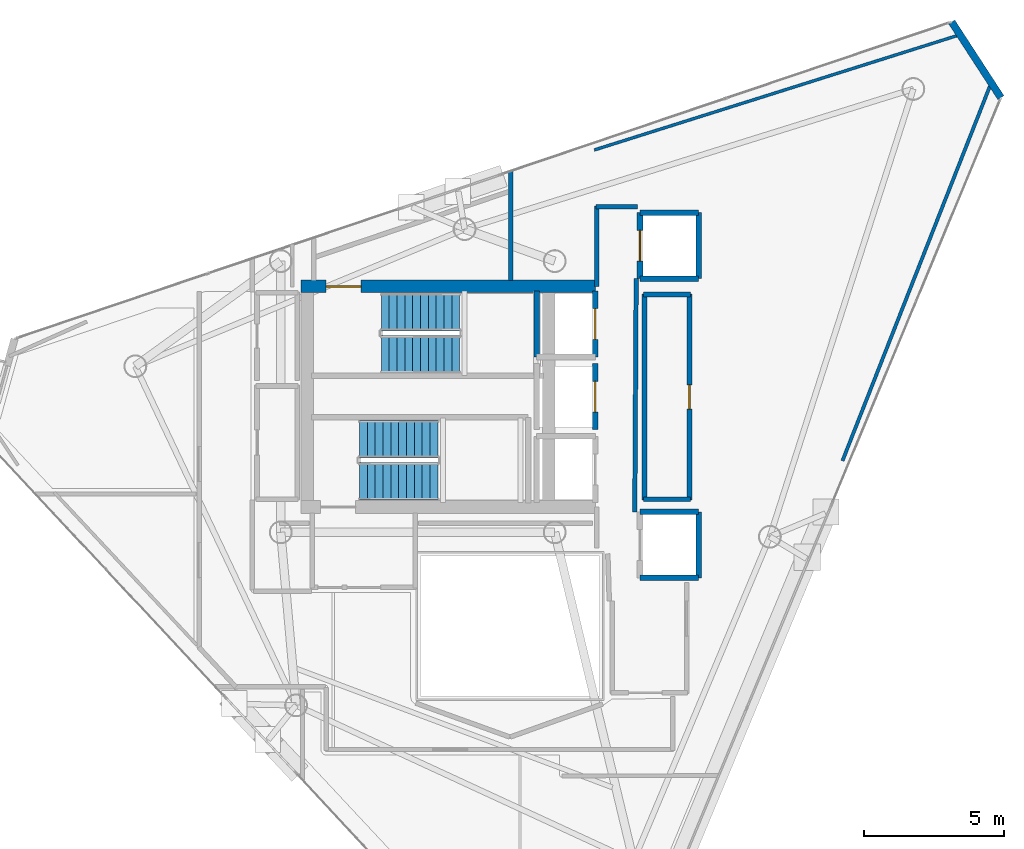
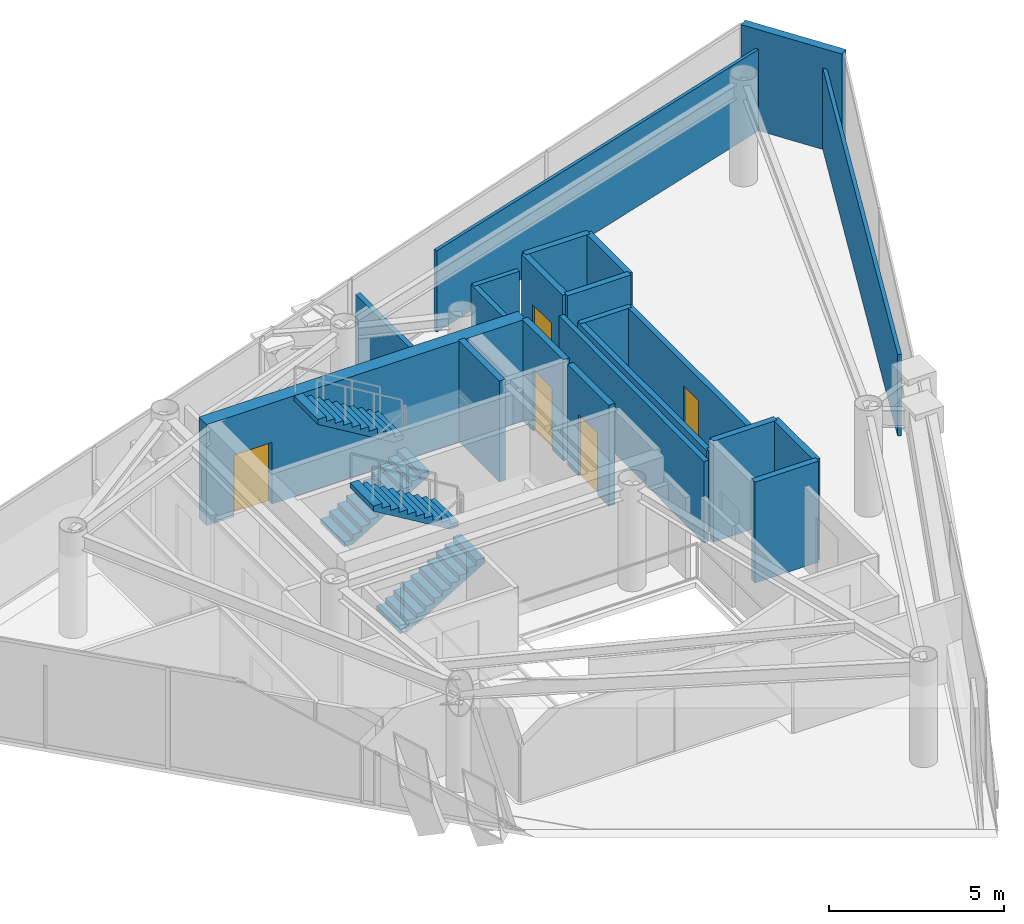
# One storey, part 18 of 19: 22 walls, 5 doors, 4 stair flights, 5 openings, 2 elements without a shape of their own.
"""IFC4 building model written with IfcOpenShell, lengths in metres."""

import ifcopenshell
import ifcopenshell.guid

model = None  # the IFC model being written
_history = None  # IfcOwnerHistory: only IFC2X3 demands one
_inside = {}  # id of a spatial element -> (the spatial element, [elements in it])
_under = {}  # id of a project, library or spatial element -> (it, [spatial elements below it])
_declared = {}  # id of a project -> (the project, [libraries it declares])
_typed = {}  # id of a type object -> (the type object, [elements of that type])
_made_of = {}  # id of a material, layer set ... -> (it, [elements and type objects made of it])


def new_model(schema):
    """Start an empty IFC model of exactly this schema.

    Asked for "IFC4X3", IfcOpenShell would pick the latest addendum, in which some entities
    have other attributes; the version numbers below select the first issue.
    IFC2X3 requires an IfcOwnerHistory on every rooted entity: one is made here for all.
    """
    global model, _history
    if schema == "IFC4X3":
        model = ifcopenshell.file(schema_version=(4, 3, 0, 0))
    else:
        model = ifcopenshell.file(schema=schema)
    _inside.clear()
    _under.clear()
    _declared.clear()
    _typed.clear()
    _made_of.clear()
    _history = None
    if model.schema == "IFC2X3":
        org = make("IfcOrganization", Name="unknown")
        user = make(
            "IfcPersonAndOrganization",
            ThePerson=make("IfcPerson", FamilyName="unknown"),
            TheOrganization=org,
        )
        app = make(
            "IfcApplication",
            ApplicationDeveloper=org,
            Version="unknown",
            ApplicationFullName="unknown",
            ApplicationIdentifier="unknown",
        )
        _history = make(
            "IfcOwnerHistory",
            OwningUser=user,
            OwningApplication=app,
            ChangeAction="ADDED",
            CreationDate=0,
        )
    return model


def make(cls, **values):
    """One entity of the class cls with the attributes given. An attribute that is None is left unset."""
    return model.create_entity(
        cls, **{name: value for name, value in values.items() if value is not None}
    )


def rooted(cls, **values):
    """An entity with a GlobalId (a new one), such as an element, a storey or a relation."""
    return make(cls, GlobalId=ifcopenshell.guid.new(), OwnerHistory=_history, **values)


def si_unit(unit_type, name, prefix=None):
    """IfcSIUnit, for example si_unit("LENGTHUNIT", "METRE", prefix="MILLI")."""
    return make("IfcSIUnit", UnitType=unit_type, Prefix=prefix, Name=name)


def assignment(units):
    """IfcUnitAssignment: the units of a project."""
    return None if units is None else make("IfcUnitAssignment", Units=units)


def point(xyz):
    """IfcCartesianPoint."""
    return None if xyz is None else make("IfcCartesianPoint", Coordinates=xyz)


def direction(xyz):
    """IfcDirection."""
    return None if xyz is None else make("IfcDirection", DirectionRatios=xyz)


def frame(location, z_axis=None, x_axis=None):
    """IfcAxis2Placement3D, a coordinate frame: its origin and axes. An axis left out is left unset."""
    return make(
        "IfcAxis2Placement3D",
        Location=point(location),
        Axis=direction(z_axis),
        RefDirection=direction(x_axis),
    )


def frame_2d(location, x_axis=None):
    """IfcAxis2Placement2D, a coordinate frame in the plane: its origin and x axis."""
    return make(
        "IfcAxis2Placement2D", Location=point(location), RefDirection=direction(x_axis)
    )


def origin():
    """The frame at (0, 0, 0) with its axes left unset."""
    return frame((0.0, 0.0, 0.0))


def place(relative_to, where):
    """IfcLocalPlacement: puts the frame where relative to a parent placement (None: the world)."""
    return make(
        "IfcLocalPlacement", PlacementRelTo=relative_to, RelativePlacement=where
    )


def context(
    kind, dimensions, precision=None, world=None, true_north=None, identifier=None
):
    """IfcGeometricRepresentationContext, for example the 3D "Model" context."""
    return make(
        "IfcGeometricRepresentationContext",
        ContextIdentifier=identifier,
        ContextType=kind,
        CoordinateSpaceDimension=dimensions,
        Precision=precision,
        WorldCoordinateSystem=world,
        TrueNorth=true_north,
    )


def subcontext(parent, identifier, kind, view, scale=None):
    """IfcGeometricRepresentationSubContext, for example "Body" below "Model"."""
    return make(
        "IfcGeometricRepresentationSubContext",
        ContextIdentifier=identifier,
        ContextType=kind,
        ParentContext=parent,
        TargetScale=scale,
        TargetView=view,
    )


def project(units=None, contexts=None):
    """IfcProject with its units and contexts."""
    return rooted(
        "IfcProject",
        Name="project",
        RepresentationContexts=contexts,
        UnitsInContext=assignment(units),
    )


def spatial(cls, under=None, at=None, **own):
    """A site, building, storey or space (cls), placed at a placement, below another one or the project."""
    s = rooted(cls, ObjectPlacement=at, **own)
    if under is not None:
        _under.setdefault(under.id(), (under, []))[1].append(s)
    return s


def polyline(points):
    """IfcPolyline through the points."""
    return make("IfcPolyline", Points=[point(p) for p in points])


def profile(cls, at=None, kind="AREA", **sizes):
    """A parametric profile (cls). Its sizes go by their IFC names, for example OverallWidth=200.0."""
    return make(cls, ProfileType=kind, Position=at, **sizes)


def rectangle(**sizes):
    """IfcRectangleProfileDef."""
    return profile("IfcRectangleProfileDef", **sizes)


def outline(outer, holes=None, kind="AREA"):
    """IfcArbitraryClosedProfileDef: a profile drawn as a closed curve; with holes, ...WithVoids."""
    if holes is None:
        return make("IfcArbitraryClosedProfileDef", ProfileType=kind, OuterCurve=outer)
    return make(
        "IfcArbitraryProfileDefWithVoids",
        ProfileType=kind,
        OuterCurve=outer,
        InnerCurves=holes,
    )


def extrude(swept, where, along, depth):
    """IfcExtrudedAreaSolid: the profile swept, set in the frame where, extruded along a direction by depth."""
    return make(
        "IfcExtrudedAreaSolid",
        SweptArea=swept,
        Position=where,
        ExtrudedDirection=direction(along),
        Depth=depth,
    )


def shape(context_of_items, identifier, shape_type, items):
    """IfcShapeRepresentation: the items that make up one representation, for example the "Body"."""
    return make(
        "IfcShapeRepresentation",
        ContextOfItems=context_of_items,
        RepresentationIdentifier=identifier,
        RepresentationType=shape_type,
        Items=items,
    )


def material(Name=None, Category=None):
    """IfcMaterial."""
    return make("IfcMaterial", Name=Name, Category=Category)


def layer(
    of_material, thickness, ventilated=None, Name=None, Category=None, Priority=None
):
    """IfcMaterialLayer: one layer of a wall or slab, of a material (None: an air gap)."""
    return make(
        "IfcMaterialLayer",
        Material=of_material,
        LayerThickness=thickness,
        IsVentilated=ventilated,
        Name=Name,
        Category=Category,
        Priority=Priority,
    )


def layer_set(layers, Name=None):
    """IfcMaterialLayerSet."""
    return make("IfcMaterialLayerSet", MaterialLayers=layers, LayerSetName=Name)


def made_of(thing, what):
    """Note that an element or type object is made of a material, layer set ...; save() writes the relation."""
    if what is not None:
        _made_of.setdefault(what.id(), (what, []))[1].append(thing)
    return thing


def type_object(cls, material=None, **own):
    """A type object (cls), such as IfcWallType, which elements share."""
    return made_of(rooted(cls, **own), material)


def element(
    cls,
    number,
    at=None,
    inside=None,
    cuts=None,
    type_object=None,
    material=None,
    context=None,
    identifier="Body",
    shape_type=None,
    held_by="IfcProductDefinitionShape",
    body=None,
    shapes=None,
    **own,
):
    """One element of the class cls, such as IfcWall. Its Tag is "e" and its number.

    at: its placement. inside: the storey or other place that contains it. cuts: it is an
    opening in that element (IfcRelVoidsElement). A single representation is given by context,
    identifier, shape_type and body (its items); several are given by shapes. held_by: the class
    of the entity that holds the representations. save() writes the other relations.
    """
    e = rooted(cls, Tag="e%d" % number, ObjectPlacement=at, **own)
    if body is not None:
        shapes = [shape(context, identifier, shape_type, body)]
    if shapes is not None:
        e.Representation = make(held_by, Representations=shapes)
    if inside is not None:
        _inside.setdefault(inside.id(), (inside, []))[1].append(e)
    if cuts is not None:
        rooted(
            "IfcRelVoidsElement", RelatingBuildingElement=cuts, RelatedOpeningElement=e
        )
    if type_object is not None:
        _typed.setdefault(type_object.id(), (type_object, []))[1].append(e)
    return made_of(e, material)


def fill(opening, filler):
    """IfcRelFillsElement: the door or window that sits in an opening."""
    return rooted(
        "IfcRelFillsElement",
        RelatingOpeningElement=opening,
        RelatedBuildingElement=filler,
    )


def aggregate(whole, parts):
    """IfcRelAggregates: a whole, such as a stair, and the parts it consists of."""
    return rooted("IfcRelAggregates", RelatingObject=whole, RelatedObjects=parts)


def save(model, path):
    """Write the relations noted so far, then the file.

    IfcRelAggregates (storeys below a building ...), IfcRelContainedInSpatialStructure (elements
    in a storey), IfcRelDefinesByType, IfcRelAssociatesMaterial and IfcRelDeclares: one each for
    every whole, place, type object, material and project.
    """
    for whole, parts in _under.values():
        aggregate(whole, parts)
    for where, things in _inside.values():
        rooted(
            "IfcRelContainedInSpatialStructure",
            RelatedElements=things,
            RelatingStructure=where,
        )
    for kind, things in _typed.values():
        rooted("IfcRelDefinesByType", RelatedObjects=things, RelatingType=kind)
    for what, things in _made_of.values():
        rooted("IfcRelAssociatesMaterial", RelatedObjects=things, RelatingMaterial=what)
    for by, libraries in _declared.values():
        rooted("IfcRelDeclares", RelatingContext=by, RelatedDefinitions=libraries)
    model.write(path)


model = new_model("IFC4")

# Units and contexts
model_context = context("Model", 3, precision=1e-05, world=origin(), true_north=direction((0.0, 1.0)))
body_context = subcontext(model_context, "Body", "Model", "MODEL_VIEW")
ifc_project = project(units=[si_unit("LENGTHUNIT", "METRE"), si_unit("AREAUNIT", "SQUARE_METRE"), si_unit("VOLUMEUNIT", "CUBIC_METRE"), si_unit("PLANEANGLEUNIT", "RADIAN"), si_unit("MASSUNIT", "GRAM", prefix="KILO")], contexts=[model_context])

# Site, building, storey
site_placement = place(None, origin())
site = spatial("IfcSite", under=ifc_project, at=site_placement, CompositionType="ELEMENT")
building_placement = place(site_placement, origin())
building = spatial("IfcBuilding", under=site, at=building_placement, Name="Qianvela Tower", CompositionType="ELEMENT")
storey_placement = place(building_placement, frame((0.0, 0.0, 333.300048828125)))
storey = spatial("IfcBuildingStorey", under=building, at=storey_placement, Name="L86", CompositionType="ELEMENT", Elevation=333.300048828125)

# Wall
ifc_material_1 = material(Name="Terracotta Cladding on Concrete C40", Category="masonry")
ifc_layer_1 = layer(ifc_material_1, 0.260009765625)
ifc_layer_set_1 = layer_set([ifc_layer_1], Name="Terracotta Cladding on Concrete C40")
wall_type_1 = type_object("IfcWallType", Name="TERRACOTTA-WALL-260", PredefinedType="SOLIDWALL", material=ifc_layer_set_1)
wall_1_placement = place(storey_placement, frame((54.361083984375, 39.395751953125, 0.0), z_axis=(0.0, 0.0, 1.0), x_axis=(-0.544874076697, 0.838517883258, 0.0)))
element("IfcWall", 1, at=wall_1_placement, inside=storey, type_object=wall_type_1, Name="L86 Terracotta Chamfer Facet Wall 1", PredefinedType="SOLIDWALL", context=body_context, shape_type="SweptSolid", body=[
    extrude(rectangle(XDim=3.229248046875, YDim=0.260009765625, at=frame_2d((1.61474609375, 0.0))), origin(), (0.0, 0.0, 1.0), 3.52001953125),
])

# Wall, opening, door
ifc_material_2 = material(Name="Concrete C50", Category="concrete")
ifc_layer_2 = layer(ifc_material_2, 0.449951171875)
ifc_layer_set_2 = layer_set([ifc_layer_2], Name="Concrete C50")
wall_type_2 = type_object("IfcWallType", Name="WT-CORE-450", PredefinedType="SHEAR", material=ifc_layer_set_2)
wall_2_placement = place(storey_placement, frame((29.330078125, 32.64501953125, 0.0), z_axis=(0.0, 0.0, 1.0), x_axis=(1.0, 0.0, 0.0)))
wall_2 = element("IfcWall", 2, at=wall_2_placement, inside=storey, type_object=wall_type_2, Name="L86 North Core Shear Wall", PredefinedType="SHEAR", context=body_context, shape_type="SweptSolid", body=[
    extrude(rectangle(XDim=10.52001953125, YDim=0.449951171875, at=frame_2d((5.260009765625, 0.0))), origin(), (0.0, 0.0, 1.0), 3.52001953125),
])
opening_1_placement = place(wall_2_placement, frame((0.89501953125, 0.0, 0.0)))
opening_1 = element("IfcOpeningElement", 3, at=opening_1_placement, cuts=wall_2, Name="Opening D-ST1", PredefinedType="OPENING", context=body_context, shape_type="SweptSolid", body=[
    extrude(rectangle(XDim=1.25, YDim=2.14990234375, at=frame_2d((0.625, 1.074951171875))), frame((0.0, 0.23486328125, 0.0), z_axis=(0.0, -1.0, 0.0), x_axis=(1.0, 0.0, 0.0)), (0.0, 0.0, 1.0), 0.469970703125),
])
ifc_material_3 = material(Name="Galvanised Fire Steel Q355B", Category="steel")
door_type_1 = type_object("IfcDoorType", Name="DT-STAIR-FD90", OperationType="NOTDEFINED", PredefinedType="DOOR", material=ifc_material_3)
door_1_placement = place(opening_1_placement, origin())
door_1 = element("IfcDoor", 4, at=door_1_placement, inside=storey, type_object=door_type_1, Name="L86 Stair ST-1 Exit Door", OperationType="SINGLE_SWING_RIGHT", OverallHeight=2.14990234375, OverallWidth=1.25, PredefinedType="DOOR", context=body_context, shape_type="SweptSolid", body=[
    extrude(rectangle(XDim=1.25, YDim=2.14990234375, at=frame_2d((0.625, 1.074951171875))), frame((0.0, 0.02490234375, 0.0), z_axis=(0.0, -1.0, 0.0), x_axis=(1.0, 0.0, 0.0)), (0.0, 0.0, 1.0), 0.050048828125),
])
fill(opening_1, door_1)

# Walls
ifc_material_4 = material(Name="Fire-Rated Gypsum and Concrete Block", Category="concrete")
ifc_layer_3 = layer(ifc_material_4, 0.159912109375)
ifc_layer_set_3 = layer_set([ifc_layer_3], Name="Fire-Rated Gypsum and Concrete Block")
wall_type_3 = type_object("IfcWallType", Name="WT-CORR-160", PredefinedType="PARTITIONING", material=ifc_layer_set_3)
wall_3_placement = place(storey_placement, frame((36.819091796875, 36.785400390625, 0.0), z_axis=(0.0, 0.0, 1.0), x_axis=(0.0, -1.0, 0.0)))
element("IfcWall", 5, at=wall_3_placement, inside=storey, type_object=wall_type_3, Name="L86 Partition 2", PredefinedType="PARTITIONING", context=body_context, shape_type="SweptSolid", body=[
    extrude(rectangle(XDim=3.927490234375, YDim=0.159912109375, at=frame_2d((1.9638671875, 0.0))), origin(), (0.0, 0.0, 1.0), 2.83984375),
])
wall_4_placement = place(storey_placement, frame((39.910888671875, 32.639892578125, 0.0), z_axis=(0.0, 0.0, 1.0), x_axis=(0.0, 1.0, 0.0)))
element("IfcWall", 6, at=wall_4_placement, inside=storey, type_object=wall_type_3, Name="L86 Partition 12", PredefinedType="PARTITIONING", context=body_context, shape_type="SweptSolid", body=[
    extrude(rectangle(XDim=2.880126953125, YDim=0.159912109375, at=frame_2d((1.43994140625, 0.0))), origin(), (0.0, 0.0, 1.0), 2.83984375),
])
wall_5_placement = place(storey_placement, frame((39.8798828125, 35.489013671875, 0.0), z_axis=(0.0, 0.0, 1.0), x_axis=(1.0, 0.0, 0.0)))
element("IfcWall", 7, at=wall_5_placement, inside=storey, type_object=wall_type_3, Name="L86 Partition 13", PredefinedType="PARTITIONING", context=body_context, shape_type="SweptSolid", body=[
    extrude(rectangle(XDim=1.480224609375, YDim=0.159912109375, at=frame_2d((0.740234375, 0.0))), origin(), (0.0, 0.0, 1.0), 2.83984375),
])
wall_6_placement = place(storey_placement, frame((41.3134765625, 32.919921875, 0.0), z_axis=(0.0, 0.0, 1.0), x_axis=(-0.005942518022, -0.999982343084, 0.0)))
element("IfcWall", 8, at=wall_6_placement, inside=storey, type_object=wall_type_3, Name="L86 Partition 14 seg 2", PredefinedType="PARTITIONING", context=body_context, shape_type="SweptSolid", body=[
    extrude(rectangle(XDim=8.340087890625, YDim=0.159912109375, at=frame_2d((4.169921875, 0.0))), origin(), (0.0, 0.0, 1.0), 2.83984375),
])
ifc_material_5 = material(Name="Lightweight Gypsum Room Partition")
ifc_layer_4 = layer(ifc_material_5, 0.10498046875)
ifc_layer_set_4 = layer_set([ifc_layer_4], Name="Lightweight Gypsum Room Partition")
wall_type_4 = type_object("IfcWallType", Name="WT-PART-105", PredefinedType="PARTITIONING", material=ifc_layer_set_4)
wall_7_placement = place(storey_placement, frame((39.817138671875, 37.526123046875, 0.0), z_axis=(0.0, 0.0, 1.0), x_axis=(0.953747743374, 0.30060812033, 0.0)))
element("IfcWall", 9, at=wall_7_placement, inside=storey, type_object=wall_type_4, Name="L86 Partition 77 seg 2", PredefinedType="PARTITIONING", context=body_context, shape_type="SweptSolid", body=[
    extrude(rectangle(XDim=13.734375, YDim=0.10498046875, at=frame_2d((6.8671875, 0.0))), origin(), (0.0, 0.0, 1.0), 2.83984375),
])
ifc_material_6 = material(Name="Insulated Gypsum Stud Partition")
ifc_layer_5 = layer(ifc_material_6, 0.1201171875)
ifc_layer_set_5 = layer_set([ifc_layer_5], Name="Insulated Gypsum Stud Partition")
wall_type_5 = type_object("IfcWallType", Name="WT-PART-120", PredefinedType="PARTITIONING", material=ifc_layer_set_5)
wall_8_placement = place(storey_placement, frame((54.021484375, 39.948486328125, 0.0), z_axis=(0.0, 0.0, 1.0), x_axis=(-0.366201471766, -0.930535588829, 0.0)))
element("IfcWall", 10, at=wall_8_placement, inside=storey, type_object=wall_type_5, Name="L86 Partition 79 seg 1", PredefinedType="PARTITIONING", context=body_context, shape_type="SweptSolid", body=[
    extrude(rectangle(XDim=14.552490234375, YDim=0.1201171875, at=frame_2d((7.2763671875, 0.0))), origin(), (0.0, 0.0, 1.0), 2.83984375),
])
ifc_material_7 = material(Name="Moisture-Resistant Acoustic Plumbing Wall")
ifc_layer_6 = layer(ifc_material_7, 0.175048828125)
ifc_layer_set_6 = layer_set([ifc_layer_6], Name="Moisture-Resistant Acoustic Plumbing Wall")
wall_type_6 = type_object("IfcWallType", Name="WT-PLUMB-175", PredefinedType="PLUMBINGWALL", material=ifc_layer_set_6)
wall_9_placement = place(storey_placement, frame((43.25, 25.031005859375, 0.0), z_axis=(0.0, 0.0, 1.0), x_axis=(-1.0, 0.0, 0.0)))
element("IfcWall", 11, at=wall_9_placement, inside=storey, type_object=wall_type_6, Name="L86 Partition 19", PredefinedType="PLUMBINGWALL", context=body_context, shape_type="SweptSolid", body=[
    extrude(rectangle(XDim=1.669921875, YDim=0.175048828125, at=frame_2d((0.8349609375, 0.0))), origin(), (0.0, 0.0, 1.0), 2.83984375),
])
wall_10_placement = place(storey_placement, frame((41.611083984375, 25.0, 0.0), z_axis=(0.0, 0.0, 1.0), x_axis=(0.0, 1.0, 0.0)))
element("IfcWall", 12, at=wall_10_placement, inside=storey, type_object=wall_type_6, Name="L86 Partition 20", PredefinedType="PLUMBINGWALL", context=body_context, shape_type="SweptSolid", body=[
    extrude(rectangle(XDim=7.3798828125, YDim=0.175048828125, at=frame_2d((3.68994140625, 0.0))), origin(), (0.0, 0.0, 1.0), 2.83984375),
])
wall_11_placement = place(storey_placement, frame((41.580078125, 32.34912109375, 0.0), z_axis=(0.0, 0.0, 1.0), x_axis=(1.0, 0.0, 0.0)))
element("IfcWall", 13, at=wall_11_placement, inside=storey, type_object=wall_type_6, Name="L86 Partition 21", PredefinedType="PLUMBINGWALL", context=body_context, shape_type="SweptSolid", body=[
    extrude(rectangle(XDim=1.669921875, YDim=0.175048828125, at=frame_2d((0.8349609375, 0.0))), origin(), (0.0, 0.0, 1.0), 2.83984375),
])

# Wall, opening, door
wall_12_placement = place(storey_placement, frame((43.218994140625, 32.3798828125, 0.0), z_axis=(0.0, 0.0, 1.0), x_axis=(0.0, -1.0, 0.0)))
wall_12 = element("IfcWall", 14, at=wall_12_placement, inside=storey, type_object=wall_type_6, Name="L86 Partition 22", PredefinedType="PLUMBINGWALL", context=body_context, shape_type="SweptSolid", body=[
    extrude(rectangle(XDim=7.3798828125, YDim=0.175048828125, at=frame_2d((3.68994140625, 0.0))), origin(), (0.0, 0.0, 1.0), 2.83984375),
])
opening_2_placement = place(wall_12_placement, frame((3.260009765625, 0.0, 0.0)))
opening_2 = element("IfcOpeningElement", 15, at=opening_2_placement, cuts=wall_12, Name="Opening D-WC1", PredefinedType="OPENING", context=body_context, shape_type="SweptSolid", body=[
    extrude(rectangle(XDim=0.860107421875, YDim=2.050048828125, at=frame_2d((0.43017578125, 1.02490234375))), frame((0.0, 0.097412109375, 0.0), z_axis=(0.0, -1.0, 0.0), x_axis=(1.0, 0.0, 0.0)), (0.0, 0.0, 1.0), 0.195068359375),
])
ifc_material_8 = material(Name="Moisture-Sealed Acoustic Timber Door", Category="wood")
door_type_2 = type_object("IfcDoorType", Name="DT-WC-860", OperationType="NOTDEFINED", PredefinedType="DOOR", material=ifc_material_8)
door_2_placement = place(opening_2_placement, origin())
door_2 = element("IfcDoor", 16, at=door_2_placement, inside=storey, type_object=door_type_2, Name="L86 Door L86 Accessible WC to Social Sitting Lounge L86-03", OperationType="SINGLE_SWING_LEFT", OverallHeight=2.050048828125, OverallWidth=0.860107421875, PredefinedType="DOOR", context=body_context, shape_type="SweptSolid", body=[
    extrude(rectangle(XDim=0.860107421875, YDim=2.050048828125, at=frame_2d((0.43017578125, 1.02490234375))), frame((0.0, 0.02490234375, 0.0), z_axis=(0.0, -1.0, 0.0), x_axis=(1.0, 0.0, 0.0)), (0.0, 0.0, 1.0), 0.050048828125),
])
fill(opening_2, door_2)

ifc_material_9 = material(Name="Concrete C50", Category="concrete")
ifc_layer_7 = layer(ifc_material_9, 0.199951171875)
ifc_layer_set_7 = layer_set([ifc_layer_7], Name="Concrete C50")
wall_type_7 = type_object("IfcWallType", Name="WT-SHAFT-200", PredefinedType="SOLIDWALL", material=ifc_layer_set_7)
wall_13_placement = place(storey_placement, frame((39.85009765625, 30.1201171875, 0.0), z_axis=(0.0, 0.0, 1.0), x_axis=(0.0, 1.0, 0.0)))
wall_13 = element("IfcWall", 17, at=wall_13_placement, inside=storey, type_object=wall_type_7, Name="L86 Lift FL-1 E Shaft Wall", PredefinedType="SOLIDWALL", context=body_context, shape_type="SweptSolid", body=[
    extrude(rectangle(XDim=2.35986328125, YDim=0.199951171875, at=frame_2d((1.179931640625, 0.0))), origin(), (0.0, 0.0, 1.0), 3.52001953125),
])
opening_3_placement = place(wall_13_placement, frame((0.6298828125, 0.0, 0.0)))
opening_3 = element("IfcOpeningElement", 18, at=opening_3_placement, cuts=wall_13, Name="Opening LD-01", PredefinedType="OPENING", context=body_context, shape_type="SweptSolid", body=[
    extrude(rectangle(XDim=1.10009765625, YDim=2.14990234375, at=frame_2d((0.550048828125, 1.074951171875))), frame((0.0, 0.10986328125, 0.0), z_axis=(0.0, -1.0, 0.0), x_axis=(1.0, 0.0, 0.0)), (0.0, 0.0, 1.0), 0.219970703125),
])
ifc_material_10 = material(Name="Brushed Stainless Steel Lift Landing Door", Category="steel")
door_type_3 = type_object("IfcDoorType", Name="DT-LIFT-SLIDE-1100", OperationType="SLIDING_TO_LEFT", PredefinedType="DOOR", material=ifc_material_10)
door_3_placement = place(opening_3_placement, origin())
door_3 = element("IfcDoor", 19, at=door_3_placement, inside=storey, type_object=door_type_3, Name="L86 Lift FL-1 Sliding Landing Door", OperationType="SLIDING_TO_LEFT", OverallHeight=2.14990234375, OverallWidth=1.10009765625, PredefinedType="DOOR", context=body_context, shape_type="SweptSolid", body=[
    extrude(rectangle(XDim=1.10009765625, YDim=2.14990234375, at=frame_2d((0.550048828125, 1.074951171875))), frame((0.0, 0.02490234375, 0.0), z_axis=(0.0, -1.0, 0.0), x_axis=(1.0, 0.0, 0.0)), (0.0, 0.0, 1.0), 0.050048828125),
])
fill(opening_3, door_3)

# Wall
wall_14_placement = place(storey_placement, frame((37.75, 30.1201171875, 0.0), z_axis=(0.0, 0.0, 1.0), x_axis=(0.0, 1.0, 0.0)))
element("IfcWall", 20, at=wall_14_placement, inside=storey, type_object=wall_type_7, Name="L86 Lift FL-1 W Shaft Wall", PredefinedType="SOLIDWALL", context=body_context, shape_type="SweptSolid", body=[
    extrude(rectangle(XDim=2.35986328125, YDim=0.199951171875, at=frame_2d((1.179931640625, 0.0))), origin(), (0.0, 0.0, 1.0), 3.52001953125),
])

# Wall, opening, door
wall_15_placement = place(storey_placement, frame((39.85009765625, 27.52001953125, 0.0), z_axis=(0.0, 0.0, 1.0), x_axis=(0.0, 1.0, 0.0)))
wall_15 = element("IfcWall", 21, at=wall_15_placement, inside=storey, type_object=wall_type_7, Name="L86 Lift PL-H1 E Shaft Wall", PredefinedType="SOLIDWALL", context=body_context, shape_type="SweptSolid", body=[
    extrude(rectangle(XDim=2.35986328125, YDim=0.199951171875, at=frame_2d((1.179931640625, 0.0))), origin(), (0.0, 0.0, 1.0), 3.52001953125),
])
opening_4_placement = place(wall_15_placement, frame((0.6298828125, 0.0, 0.0)))
opening_4 = element("IfcOpeningElement", 22, at=opening_4_placement, cuts=wall_15, Name="Opening LD-01", PredefinedType="OPENING", context=body_context, shape_type="SweptSolid", body=[
    extrude(rectangle(XDim=1.10009765625, YDim=2.14990234375, at=frame_2d((0.550048828125, 1.074951171875))), frame((0.0, 0.10986328125, 0.0), z_axis=(0.0, -1.0, 0.0), x_axis=(1.0, 0.0, 0.0)), (0.0, 0.0, 1.0), 0.219970703125),
])
door_4_placement = place(opening_4_placement, origin())
door_4 = element("IfcDoor", 23, at=door_4_placement, inside=storey, type_object=door_type_3, Name="L86 Lift PL-H1 Sliding Landing Door", OperationType="SLIDING_TO_LEFT", OverallHeight=2.14990234375, OverallWidth=1.10009765625, PredefinedType="DOOR", context=body_context, shape_type="SweptSolid", body=[
    extrude(rectangle(XDim=1.10009765625, YDim=2.14990234375, at=frame_2d((0.550048828125, 1.074951171875))), frame((0.0, 0.02490234375, 0.0), z_axis=(0.0, -1.0, 0.0), x_axis=(1.0, 0.0, 0.0)), (0.0, 0.0, 1.0), 0.050048828125),
])
fill(opening_4, door_4)

# Walls
wall_16_placement = place(storey_placement, frame((43.550048828125, 22.219970703125, 0.0), z_axis=(0.0, 0.0, 1.0), x_axis=(0.0, 1.0, 0.0)))
element("IfcWall", 24, at=wall_16_placement, inside=storey, type_object=wall_type_7, Name="L86 Lift PL-H2 E Shaft Wall", PredefinedType="SOLIDWALL", context=body_context, shape_type="SweptSolid", body=[
    extrude(rectangle(XDim=2.360107421875, YDim=0.199951171875, at=frame_2d((1.18017578125, 0.0))), origin(), (0.0, 0.0, 1.0), 3.52001953125),
])
for number, where, z_axis, x_axis, name in (
    (25, (41.449951171875, 24.580078125, 0.0), (0.0, 0.0, 1.0), (1.0, 0.0, 0.0), "L86 Lift PL-H2 N Shaft Wall"),
    (26, (41.449951171875, 22.219970703125, 0.0), (0.0, 0.0, 1.0), (1.0, 0.0, 0.0), "L86 Lift PL-H2 S Shaft Wall"),
):
    element("IfcWall", number, at=place(storey_placement, frame(where, z_axis=z_axis, x_axis=x_axis)), inside=storey, type_object=wall_type_7, Name=name, PredefinedType="SOLIDWALL", context=body_context, shape_type="SweptSolid", body=[
        extrude(rectangle(XDim=2.10009765625, YDim=0.199951171875, at=frame_2d((1.050048828125, 0.0))), origin(), (0.0, 0.0, 1.0), 3.52001953125),
    ])
wall_17_placement = place(storey_placement, frame((43.550048828125, 32.919921875, 0.0), z_axis=(0.0, 0.0, 1.0), x_axis=(0.0, 1.0, 0.0)))
element("IfcWall", 27, at=wall_17_placement, inside=storey, type_object=wall_type_7, Name="L86 Lift PL-H3 E Shaft Wall", PredefinedType="SOLIDWALL", context=body_context, shape_type="SweptSolid", body=[
    extrude(rectangle(XDim=2.360107421875, YDim=0.199951171875, at=frame_2d((1.18017578125, 0.0))), origin(), (0.0, 0.0, 1.0), 3.52001953125),
])

# Wall, opening, door
wall_18_placement = place(storey_placement, frame((41.449951171875, 32.919921875, 0.0), z_axis=(0.0, 0.0, 1.0), x_axis=(0.0, 1.0, 0.0)))
wall_18 = element("IfcWall", 28, at=wall_18_placement, inside=storey, type_object=wall_type_7, Name="L86 Lift PL-H3 W Shaft Wall", PredefinedType="SOLIDWALL", context=body_context, shape_type="SweptSolid", body=[
    extrude(rectangle(XDim=2.360107421875, YDim=0.199951171875, at=frame_2d((1.18017578125, 0.0))), origin(), (0.0, 0.0, 1.0), 3.52001953125),
])
opening_5_placement = place(wall_18_placement, frame((0.6298828125, 0.0, 0.0)))
opening_5 = element("IfcOpeningElement", 29, at=opening_5_placement, cuts=wall_18, Name="Opening LD-01", PredefinedType="OPENING", context=body_context, shape_type="SweptSolid", body=[
    extrude(rectangle(XDim=1.10009765625, YDim=2.14990234375, at=frame_2d((0.550048828125, 1.074951171875))), frame((0.0, 0.10986328125, 0.0), z_axis=(0.0, -1.0, 0.0), x_axis=(1.0, 0.0, 0.0)), (0.0, 0.0, 1.0), 0.219970703125),
])
door_5_placement = place(opening_5_placement, origin())
door_5 = element("IfcDoor", 30, at=door_5_placement, inside=storey, type_object=door_type_3, Name="L86 Lift PL-H3 Sliding Landing Door", OperationType="SLIDING_TO_LEFT", OverallHeight=2.14990234375, OverallWidth=1.10009765625, PredefinedType="DOOR", context=body_context, shape_type="SweptSolid", body=[
    extrude(rectangle(XDim=1.10009765625, YDim=2.14990234375, at=frame_2d((0.550048828125, 1.074951171875))), frame((0.0, 0.02490234375, 0.0), z_axis=(0.0, -1.0, 0.0), x_axis=(1.0, 0.0, 0.0)), (0.0, 0.0, 1.0), 0.050048828125),
])
fill(opening_5, door_5)

# Walls
for number, where, z_axis, x_axis, name in (
    (31, (41.449951171875, 35.280029296875, 0.0), (0.0, 0.0, 1.0), (1.0, 0.0, 0.0), "L86 Lift PL-H3 N Shaft Wall"),
    (32, (41.449951171875, 32.919921875, 0.0), (0.0, 0.0, 1.0), (1.0, 0.0, 0.0), "L86 Lift PL-H3 S Shaft Wall"),
):
    element("IfcWall", number, at=place(storey_placement, frame(where, z_axis=z_axis, x_axis=x_axis)), inside=storey, type_object=wall_type_7, Name=name, PredefinedType="SOLIDWALL", context=body_context, shape_type="SweptSolid", body=[
        extrude(rectangle(XDim=2.10009765625, YDim=0.199951171875, at=frame_2d((1.050048828125, 0.0))), origin(), (0.0, 0.0, 1.0), 3.52001953125),
    ])

# Stair, stair flights
ifc_material_11 = material(Name="Concrete C40", Category="concrete")
stair_type = type_object("IfcStairType", Name="ST-DOGLEG-1350-R168-N22", PredefinedType="HALF_TURN_STAIR", material=ifc_material_11)
stair_1_placement = place(storey_placement, origin())
stair_1 = element("IfcStair", 33, at=stair_1_placement, inside=storey, type_object=stair_type, Name="L86 Smoke-Proof Core Stair ST-1", PredefinedType="HALF_TURN_STAIR")
ifc_material_12 = material(Name="Concrete C40", Category="concrete")
stair_flight_type = type_object("IfcStairFlightType", Name="STF-STRAIGHT-R168-P11", PredefinedType="STRAIGHT", material=ifc_material_12)
stair_flight_1_placement = place(storey_placement, frame((32.199951171875, 30.215087890625, 0.0), z_axis=(0.0, 0.0, 1.0), x_axis=(1.0, 0.0, 0.0)))
stair_flight_1 = element("IfcStairFlight", 34, at=stair_flight_1_placement, type_object=stair_flight_type, Name="ST-1 flight 1", NumberOfRisers=11, NumberOfTreads=10, PredefinedType="STRAIGHT", RiserHeight=0.168181818, TreadLength=0.28, context=body_context, shape_type="SweptSolid", body=[
    extrude(outline(polyline([(0.0, 0.0), (0.0, 0.168212890625), (0.280029296875, 0.168212890625), (0.280029296875, 0.33642578125), (0.56005859375, 0.33642578125), (0.56005859375, 0.504638671875), (0.840087890625, 0.504638671875), (0.840087890625, 0.672607421875), (1.1201171875, 0.672607421875), (1.1201171875, 0.8408203125), (1.39990234375, 0.8408203125), (1.39990234375, 1.009033203125), (1.679931640625, 1.009033203125), (1.679931640625, 1.17724609375), (1.9599609375, 1.17724609375), (1.9599609375, 1.345458984375), (2.239990234375, 1.345458984375), (2.239990234375, 1.513671875), (2.52001953125, 1.513671875), (2.52001953125, 1.681884765625), (2.800048828125, 1.681884765625), (2.800048828125, 1.85009765625), (2.800048828125, 1.5068359375), (0.291015625, 0.0), (0.0, 0.0)])), frame((0.0, 0.675048828125, 0.0), z_axis=(0.0, -1.0, 0.0), x_axis=(1.0, 0.0, 0.0)), (0.0, 0.0, 1.0), 1.35009765625),
])
stair_flight_2_placement = place(storey_placement, frame((35.0, 31.72509765625, 1.849853515625), z_axis=(0.0, 0.0, 1.0), x_axis=(-1.0, 0.0, 0.0)))
stair_flight_2 = element("IfcStairFlight", 35, at=stair_flight_2_placement, type_object=stair_flight_type, Name="ST-1 flight 2", NumberOfRisers=11, NumberOfTreads=10, PredefinedType="STRAIGHT", RiserHeight=0.168181818, TreadLength=0.28, context=body_context, shape_type="SweptSolid", body=[
    extrude(outline(polyline([(0.0, 0.0), (0.0, 0.168212890625), (0.280029296875, 0.168212890625), (0.280029296875, 0.33642578125), (0.56005859375, 0.33642578125), (0.56005859375, 0.504638671875), (0.840087890625, 0.504638671875), (0.840087890625, 0.672607421875), (1.1201171875, 0.672607421875), (1.1201171875, 0.8408203125), (1.39990234375, 0.8408203125), (1.39990234375, 1.009033203125), (1.679931640625, 1.009033203125), (1.679931640625, 1.17724609375), (1.9599609375, 1.17724609375), (1.9599609375, 1.345458984375), (2.239990234375, 1.345458984375), (2.239990234375, 1.513671875), (2.52001953125, 1.513671875), (2.52001953125, 1.681884765625), (2.800048828125, 1.681884765625), (2.800048828125, 1.85009765625), (2.800048828125, 1.5068359375), (0.291015625, 0.0), (0.0, 0.0)])), frame((0.0, 0.675048828125, 0.0), z_axis=(0.0, -1.0, 0.0), x_axis=(1.0, 0.0, 0.0)), (0.0, 0.0, 1.0), 1.35009765625),
])
aggregate(stair_1, [stair_flight_1, stair_flight_2])

stair_2_placement = place(storey_placement, origin())
stair_2 = element("IfcStair", 36, at=stair_2_placement, inside=storey, type_object=stair_type, Name="L86 Smoke-Proof Core Stair ST-2", PredefinedType="HALF_TURN_STAIR")
stair_flight_3_placement = place(storey_placement, frame((31.419921875, 25.675048828125, 0.0), z_axis=(0.0, 0.0, 1.0), x_axis=(1.0, 0.0, 0.0)))
stair_flight_3 = element("IfcStairFlight", 37, at=stair_flight_3_placement, type_object=stair_flight_type, Name="ST-2 flight 1", NumberOfRisers=11, NumberOfTreads=10, PredefinedType="STRAIGHT", RiserHeight=0.168181818, TreadLength=0.28, context=body_context, shape_type="SweptSolid", body=[
    extrude(outline(polyline([(0.0, 0.0), (0.0, 0.168212890625), (0.280029296875, 0.168212890625), (0.280029296875, 0.33642578125), (0.56005859375, 0.33642578125), (0.56005859375, 0.504638671875), (0.840087890625, 0.504638671875), (0.840087890625, 0.672607421875), (1.1201171875, 0.672607421875), (1.1201171875, 0.8408203125), (1.39990234375, 0.8408203125), (1.39990234375, 1.009033203125), (1.679931640625, 1.009033203125), (1.679931640625, 1.17724609375), (1.9599609375, 1.17724609375), (1.9599609375, 1.345458984375), (2.239990234375, 1.345458984375), (2.239990234375, 1.513671875), (2.52001953125, 1.513671875), (2.52001953125, 1.681884765625), (2.800048828125, 1.681884765625), (2.800048828125, 1.85009765625), (2.800048828125, 1.5068359375), (0.291015625, 0.0), (0.0, 0.0)])), frame((0.0, 0.675048828125, 0.0), z_axis=(0.0, -1.0, 0.0), x_axis=(1.0, 0.0, 0.0)), (0.0, 0.0, 1.0), 1.35009765625),
])
stair_flight_4_placement = place(storey_placement, frame((34.219970703125, 27.18505859375, 1.849853515625), z_axis=(0.0, 0.0, 1.0), x_axis=(-1.0, 0.0, 0.0)))
stair_flight_4 = element("IfcStairFlight", 38, at=stair_flight_4_placement, type_object=stair_flight_type, Name="ST-2 flight 2", NumberOfRisers=11, NumberOfTreads=10, PredefinedType="STRAIGHT", RiserHeight=0.168181818, TreadLength=0.28, context=body_context, shape_type="SweptSolid", body=[
    extrude(outline(polyline([(0.0, 0.0), (0.0, 0.168212890625), (0.280029296875, 0.168212890625), (0.280029296875, 0.33642578125), (0.56005859375, 0.33642578125), (0.56005859375, 0.504638671875), (0.840087890625, 0.504638671875), (0.840087890625, 0.672607421875), (1.1201171875, 0.672607421875), (1.1201171875, 0.8408203125), (1.39990234375, 0.8408203125), (1.39990234375, 1.009033203125), (1.679931640625, 1.009033203125), (1.679931640625, 1.17724609375), (1.9599609375, 1.17724609375), (1.9599609375, 1.345458984375), (2.239990234375, 1.345458984375), (2.239990234375, 1.513671875), (2.52001953125, 1.513671875), (2.52001953125, 1.681884765625), (2.800048828125, 1.681884765625), (2.800048828125, 1.85009765625), (2.800048828125, 1.5068359375), (0.291015625, 0.0), (0.0, 0.0)])), frame((0.0, 0.675048828125, 0.0), z_axis=(0.0, -1.0, 0.0), x_axis=(1.0, 0.0, 0.0)), (0.0, 0.0, 1.0), 1.35009765625),
])
aggregate(stair_2, [stair_flight_3, stair_flight_4])

save(model, "model.ifc")
